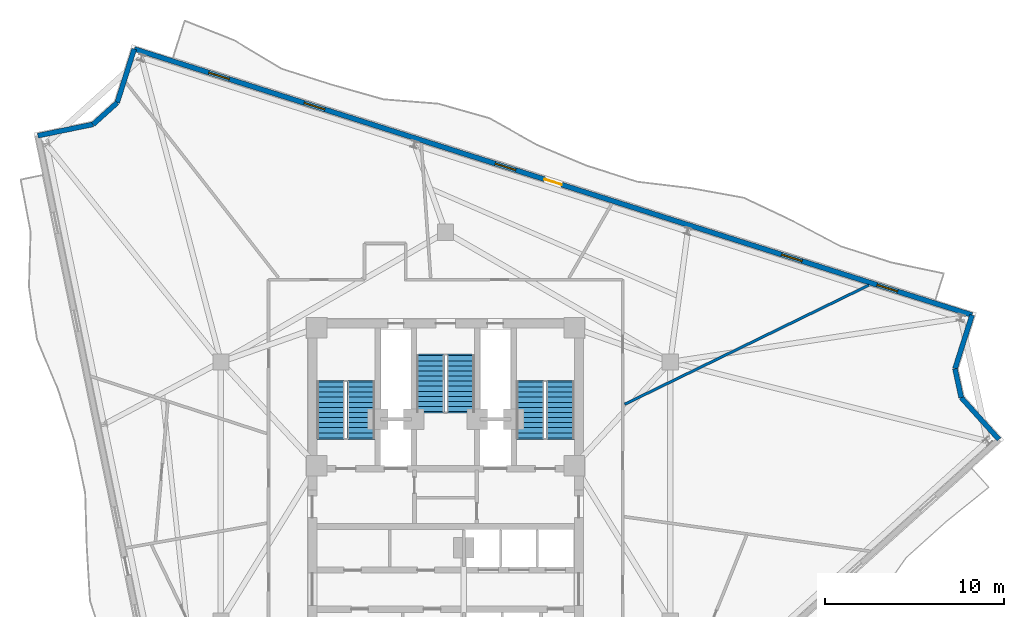
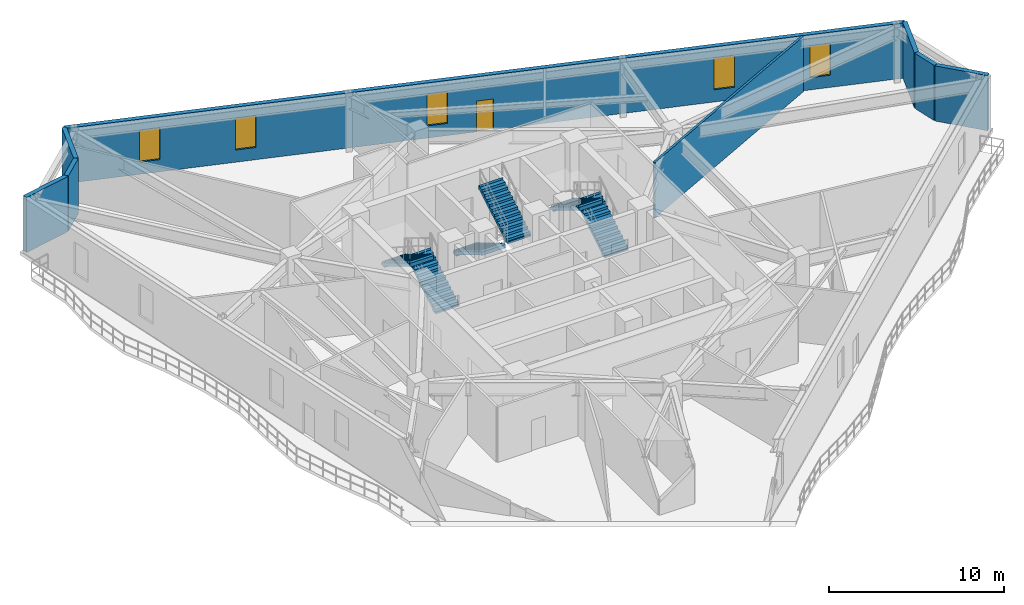
# One storey, part 8 of 12: 8 walls, 6 stair flights, 5 windows, 1 door, 6 openings, 3 elements without a shape of their own.
"""IFC4 building model written with IfcOpenShell, lengths in metres."""

from ifc_helpers import new_model, si_unit, direction, frame, frame_2d, origin, place, context, subcontext, project, spatial, polyline, rectangle, outline, extrude, material, layer, layer_set, type_object, element, fill, aggregate, save


model = new_model("IFC4")

# Units and contexts
model_context = context("Model", 3, precision=1e-05, world=origin(), true_north=direction((0.0, 1.0)))
body_context = subcontext(model_context, "Body", "Model", "MODEL_VIEW")
ifc_project = project(units=[si_unit("LENGTHUNIT", "METRE"), si_unit("AREAUNIT", "SQUARE_METRE"), si_unit("VOLUMEUNIT", "CUBIC_METRE"), si_unit("PLANEANGLEUNIT", "RADIAN"), si_unit("MASSUNIT", "GRAM", prefix="KILO")], contexts=[model_context])

# Site, building, storey
site_placement = place(None, origin())
site = spatial("IfcSite", under=ifc_project, at=site_placement, CompositionType="ELEMENT")
building_placement = place(site_placement, origin())
building = spatial("IfcBuilding", under=site, at=building_placement, Name="Apsidion Concourse Tower", CompositionType="ELEMENT")
storey_placement = place(building_placement, frame((0.0, 0.0, 232.199951171875)))
storey = spatial("IfcBuildingStorey", under=building, at=storey_placement, Name="L54", CompositionType="ELEMENT", Elevation=232.199951171875)

# Wall, openings, door, windows
ifc_material_1 = material(Name="Precast concrete C40/50", Category="concrete")
ifc_layer_1 = layer(ifc_material_1, 0.280029296875)
ifc_layer_set_1 = layer_set([ifc_layer_1], Name="Precast concrete C40/50")
wall_type_1 = type_object("IfcWallType", Name="WL-EXT-280", PredefinedType="STANDARD", material=ifc_layer_set_1)
wall_1_placement = place(storey_placement, frame((-17.4072265625, 24.74755859375, 0.0), z_axis=(0.0, 0.0, 1.0), x_axis=(0.953082756031, -0.302709861346, 0.0)))
wall_1 = element("IfcWall", 1, at=wall_1_placement, inside=storey, type_object=wall_type_1, Name="L54 Precast Stone Facade Wall 01", PredefinedType="STANDARD", context=body_context, shape_type="SweptSolid", body=[
    extrude(rectangle(XDim=49.14501953125, YDim=0.280029296875, at=frame_2d((24.572509765625, 0.0))), origin(), (0.0, 0.0, 1.0), 3.85009765625),
])
opening_1_placement = place(wall_1_placement, frame((24.072509765625, 0.0, 0.0)))
opening_1 = element("IfcOpeningElement", 2, at=opening_1_placement, cuts=wall_1, Name="Opening D-T1L", PredefinedType="OPENING", context=body_context, shape_type="SweptSolid", body=[
    extrude(rectangle(XDim=1.0, YDim=2.14990234375, at=frame_2d((0.5, 1.074951171875))), frame((0.0, 0.14990234375, 0.0), z_axis=(0.0, -1.0, 0.0), x_axis=(1.0, 0.0, 0.0)), (0.0, 0.0, 1.0), 0.300048828125),
])
opening_2_placement = place(wall_1_placement, frame((4.37255859375, 0.0, 0.85009765625)))
opening_2 = element("IfcOpeningElement", 3, at=opening_2_placement, cuts=wall_1, Name="Opening WN-06", PredefinedType="OPENING", context=body_context, shape_type="SweptSolid", body=[
    extrude(rectangle(XDim=1.199951171875, YDim=2.199951171875, at=frame_2d((0.60009765625, 1.10009765625))), frame((0.0, 0.14990234375, 0.0), z_axis=(0.0, -1.0, 0.0), x_axis=(1.0, 0.0, 0.0)), (0.0, 0.0, 1.0), 0.300048828125),
])
opening_3_placement = place(wall_1_placement, frame((9.97265625, 0.0, 0.85009765625)))
opening_3 = element("IfcOpeningElement", 4, at=opening_3_placement, cuts=wall_1, Name="Opening WN-06", PredefinedType="OPENING", context=body_context, shape_type="SweptSolid", body=[
    extrude(rectangle(XDim=1.199951171875, YDim=2.199951171875, at=frame_2d((0.60009765625, 1.10009765625))), frame((0.0, 0.14990234375, 0.0), z_axis=(0.0, -1.0, 0.0), x_axis=(1.0, 0.0, 0.0)), (0.0, 0.0, 1.0), 0.300048828125),
])
opening_4_placement = place(wall_1_placement, frame((21.172607421875, 0.0, 0.85009765625)))
opening_4 = element("IfcOpeningElement", 5, at=opening_4_placement, cuts=wall_1, Name="Opening WN-06", PredefinedType="OPENING", context=body_context, shape_type="SweptSolid", body=[
    extrude(rectangle(XDim=1.199951171875, YDim=2.199951171875, at=frame_2d((0.60009765625, 1.10009765625))), frame((0.0, 0.14990234375, 0.0), z_axis=(0.0, -1.0, 0.0), x_axis=(1.0, 0.0, 0.0)), (0.0, 0.0, 1.0), 0.300048828125),
])
opening_5_placement = place(wall_1_placement, frame((37.97265625, 0.0, 0.85009765625)))
opening_5 = element("IfcOpeningElement", 6, at=opening_5_placement, cuts=wall_1, Name="Opening WN-06", PredefinedType="OPENING", context=body_context, shape_type="SweptSolid", body=[
    extrude(rectangle(XDim=1.199951171875, YDim=2.199951171875, at=frame_2d((0.60009765625, 1.10009765625))), frame((0.0, 0.14990234375, 0.0), z_axis=(0.0, -1.0, 0.0), x_axis=(1.0, 0.0, 0.0)), (0.0, 0.0, 1.0), 0.300048828125),
])
opening_6_placement = place(wall_1_placement, frame((43.572509765625, 0.0, 0.85009765625)))
opening_6 = element("IfcOpeningElement", 7, at=opening_6_placement, cuts=wall_1, Name="Opening WN-06", PredefinedType="OPENING", context=body_context, shape_type="SweptSolid", body=[
    extrude(rectangle(XDim=1.199951171875, YDim=2.199951171875, at=frame_2d((0.60009765625, 1.10009765625))), frame((0.0, 0.14990234375, 0.0), z_axis=(0.0, -1.0, 0.0), x_axis=(1.0, 0.0, 0.0)), (0.0, 0.0, 1.0), 0.300048828125),
])
ifc_material_2 = material(Name="Anodised aluminium EN AW-6063 T6", Category="aluminium")
door_type = type_object("IfcDoorType", Name="DR-TER-1022L", OperationType="SINGLE_SWING_LEFT", PredefinedType="DOOR", material=ifc_material_2)
door_placement = place(opening_1_placement, origin())
door = element("IfcDoor", 8, at=door_placement, inside=storey, type_object=door_type, Name="L54 Balcony Access Door 3", OperationType="SINGLE_SWING_LEFT", OverallHeight=2.14990234375, OverallWidth=1.0, PredefinedType="DOOR", context=body_context, shape_type="SweptSolid", body=[
    extrude(rectangle(XDim=1.0, YDim=2.14990234375, at=frame_2d((0.5, 1.074951171875))), frame((0.0, 0.02490234375, 0.0), z_axis=(0.0, -1.0, 0.0), x_axis=(1.0, 0.0, 0.0)), (0.0, 0.0, 1.0), 0.050048828125),
])
fill(opening_1, door)
ifc_material_3 = material(Name="Insulated laminated low-E glass", Category="glass")
window_type = type_object("IfcWindowType", Name="WN-OFF-1224", PartitioningType="SINGLE_PANEL", PredefinedType="WINDOW", material=ifc_material_3)
window_1_placement = place(opening_2_placement, origin())
window_1 = element("IfcWindow", 9, at=window_1_placement, inside=storey, type_object=window_type, Name="L54 Punched Facade Window 1-01", OverallHeight=2.199951171875, OverallWidth=1.199951171875, PartitioningType="SINGLE_PANEL", PredefinedType="WINDOW", context=body_context, shape_type="SweptSolid", body=[
    extrude(rectangle(XDim=1.199951171875, YDim=2.199951171875, at=frame_2d((0.60009765625, 1.10009765625))), frame((0.0, 0.030029296875, 0.0), z_axis=(0.0, -1.0, 0.0), x_axis=(1.0, 0.0, 0.0)), (0.0, 0.0, 1.0), 0.06005859375),
])
fill(opening_2, window_1)
window_2_placement = place(opening_3_placement, origin())
window_2 = element("IfcWindow", 10, at=window_2_placement, inside=storey, type_object=window_type, Name="L54 Punched Facade Window 1-02", OverallHeight=2.199951171875, OverallWidth=1.199951171875, PartitioningType="SINGLE_PANEL", PredefinedType="WINDOW", context=body_context, shape_type="SweptSolid", body=[
    extrude(rectangle(XDim=1.199951171875, YDim=2.199951171875, at=frame_2d((0.60009765625, 1.10009765625))), frame((0.0, 0.030029296875, 0.0), z_axis=(0.0, -1.0, 0.0), x_axis=(1.0, 0.0, 0.0)), (0.0, 0.0, 1.0), 0.06005859375),
])
fill(opening_3, window_2)
window_3_placement = place(opening_4_placement, origin())
window_3 = element("IfcWindow", 11, at=window_3_placement, inside=storey, type_object=window_type, Name="L54 Punched Facade Window 1-04", OverallHeight=2.199951171875, OverallWidth=1.199951171875, PartitioningType="SINGLE_PANEL", PredefinedType="WINDOW", context=body_context, shape_type="SweptSolid", body=[
    extrude(rectangle(XDim=1.199951171875, YDim=2.199951171875, at=frame_2d((0.60009765625, 1.10009765625))), frame((0.0, 0.030029296875, 0.0), z_axis=(0.0, -1.0, 0.0), x_axis=(1.0, 0.0, 0.0)), (0.0, 0.0, 1.0), 0.06005859375),
])
fill(opening_4, window_3)
window_4_placement = place(opening_5_placement, origin())
window_4 = element("IfcWindow", 12, at=window_4_placement, inside=storey, type_object=window_type, Name="L54 Punched Facade Window 1-07", OverallHeight=2.199951171875, OverallWidth=1.199951171875, PartitioningType="SINGLE_PANEL", PredefinedType="WINDOW", context=body_context, shape_type="SweptSolid", body=[
    extrude(rectangle(XDim=1.199951171875, YDim=2.199951171875, at=frame_2d((0.60009765625, 1.10009765625))), frame((0.0, 0.030029296875, 0.0), z_axis=(0.0, -1.0, 0.0), x_axis=(1.0, 0.0, 0.0)), (0.0, 0.0, 1.0), 0.06005859375),
])
fill(opening_5, window_4)
window_5_placement = place(opening_6_placement, origin())
window_5 = element("IfcWindow", 13, at=window_5_placement, inside=storey, type_object=window_type, Name="L54 Punched Facade Window 1-08", OverallHeight=2.199951171875, OverallWidth=1.199951171875, PartitioningType="SINGLE_PANEL", PredefinedType="WINDOW", context=body_context, shape_type="SweptSolid", body=[
    extrude(rectangle(XDim=1.199951171875, YDim=2.199951171875, at=frame_2d((0.60009765625, 1.10009765625))), frame((0.0, 0.030029296875, 0.0), z_axis=(0.0, -1.0, 0.0), x_axis=(1.0, 0.0, 0.0)), (0.0, 0.0, 1.0), 0.06005859375),
])
fill(opening_6, window_5)

# Walls
wall_2_placement = place(storey_placement, frame((29.43212890625, 9.870849609375, 0.0), z_axis=(0.0, 0.0, 1.0), x_axis=(-0.30264059672, -0.953104752489, 0.0)))
element("IfcWall", 14, at=wall_2_placement, inside=storey, type_object=wall_type_1, Name="L54 Precast Stone Facade Wall 02", PredefinedType="STANDARD", context=body_context, shape_type="SweptSolid", body=[
    extrude(rectangle(XDim=3.150146484375, YDim=0.280029296875, at=frame_2d((1.5751953125, 0.0))), origin(), (0.0, 0.0, 1.0), 3.85009765625),
])
wall_3_placement = place(storey_placement, frame((28.478759765625, 6.868408203125, 0.0), z_axis=(0.0, 0.0, 1.0), x_axis=(0.211126358094, -0.977458777094, 0.0)))
element("IfcWall", 15, at=wall_3_placement, inside=storey, type_object=wall_type_1, Name="L54 Precast Stone Facade Wall 03", PredefinedType="STANDARD", context=body_context, shape_type="SweptSolid", body=[
    extrude(rectangle(XDim=1.64892578125, YDim=0.280029296875, at=frame_2d((0.824462890625, 0.0))), origin(), (0.0, 0.0, 1.0), 3.85009765625),
])
wall_4_placement = place(storey_placement, frame((28.826904296875, 5.256591796875, 0.0), z_axis=(0.0, 0.0, 1.0), x_axis=(0.669127439782, -0.743147676663, 0.0)))
element("IfcWall", 16, at=wall_4_placement, inside=storey, type_object=wall_type_1, Name="L54 Precast Stone Facade Wall 04", PredefinedType="STANDARD", context=body_context, shape_type="SweptSolid", body=[
    extrude(rectangle(XDim=3.14990234375, YDim=0.280029296875, at=frame_2d((1.574951171875, 0.0))), origin(), (0.0, 0.0, 1.0), 3.85009765625),
])
wall_5_placement = place(storey_placement, frame((-22.79248046875, 19.898681640625, 0.0), z_axis=(0.0, 0.0, 1.0), x_axis=(0.979502474011, 0.201432131016, 0.0)))
element("IfcWall", 17, at=wall_5_placement, inside=storey, type_object=wall_type_1, Name="L54 Precast Stone Facade Wall 10", PredefinedType="STANDARD", context=body_context, shape_type="SweptSolid", body=[
    extrude(rectangle(XDim=3.1513671875, YDim=0.280029296875, at=frame_2d((1.57568359375, 0.0))), origin(), (0.0, 0.0, 1.0), 3.85009765625),
])
wall_6_placement = place(storey_placement, frame((-19.705810546875, 20.533447265625, 0.0), z_axis=(0.0, 0.0, 1.0), x_axis=(0.743173371482, 0.669098901449, 0.0)))
element("IfcWall", 18, at=wall_6_placement, inside=storey, type_object=wall_type_1, Name="L54 Precast Stone Facade Wall 11", PredefinedType="STANDARD", context=body_context, shape_type="SweptSolid", body=[
    extrude(rectangle(XDim=1.809326171875, YDim=0.280029296875, at=frame_2d((0.90478515625, 0.0))), origin(), (0.0, 0.0, 1.0), 3.85009765625),
])
wall_7_placement = place(storey_placement, frame((-18.361083984375, 21.744140625, 0.0), z_axis=(0.0, 0.0, 1.0), x_axis=(0.302691963624, 0.953088440365, 0.0)))
element("IfcWall", 19, at=wall_7_placement, inside=storey, type_object=wall_type_1, Name="L54 Precast Stone Facade Wall 12", PredefinedType="STANDARD", context=body_context, shape_type="SweptSolid", body=[
    extrude(rectangle(XDim=3.1513671875, YDim=0.280029296875, at=frame_2d((1.57568359375, 0.0))), origin(), (0.0, 0.0, 1.0), 3.85009765625),
])
ifc_material_4 = material(Name="Gypsum plasterboard partition")
ifc_layer_2 = layer(ifc_material_4, 0.14990234375)
ifc_layer_set_2 = layer_set([ifc_layer_2], Name="Gypsum plasterboard partition")
wall_type_2 = type_object("IfcWallType", Name="WL-INT-PAR-150", PredefinedType="PARTITIONING", material=ifc_layer_set_2)
wall_8_placement = place(storey_placement, frame((10.0048828125, 4.8798828125, 0.0), z_axis=(0.0, 0.0, 1.0), x_axis=(0.89879886383, 0.43836126925, 0.0)))
element("IfcWall", 20, at=wall_8_placement, inside=storey, type_object=wall_type_2, Name="L54 Interior Partition WL-L54-RAD-01-1", PredefinedType="PARTITIONING", context=body_context, shape_type="SweptSolid", body=[
    extrude(rectangle(XDim=15.195068359375, YDim=0.14990234375, at=frame_2d((7.59765625, 0.0))), origin(), (0.0, 0.0, 1.0), 3.85009765625),
])

# Stair, stair flights
stair_type = type_object("IfcStairType", Name="ST-DL-1550", PredefinedType="HALF_TURN_STAIR", material=ifc_material_1)
stair_1_placement = place(storey_placement, origin())
stair_1 = element("IfcStair", 21, at=stair_1_placement, inside=storey, type_object=stair_type, Name="L54 Protected Core Exit Stair ST1", PredefinedType="HALF_TURN_STAIR")
stair_flight_type = type_object("IfcStairFlightType", Name="SFL-RC-1550", PredefinedType="STRAIGHT", material=ifc_material_1)
stair_flight_1_placement = place(storey_placement, frame((-4.72509765625, 3.0, 0.0), z_axis=(0.0, 0.0, 1.0), x_axis=(0.0, 1.0, 0.0)))
stair_flight_1 = element("IfcStairFlight", 22, at=stair_flight_1_placement, type_object=stair_flight_type, Name="ST1 flight 1", NumberOfRisers=12, NumberOfTreads=11, PredefinedType="STRAIGHT", RiserHeight=0.170833333, TreadLength=0.285, context=body_context, shape_type="SweptSolid", body=[
    extrude(outline(polyline([(-0.080078125, -0.1123046875), (-0.080078125, 0.0), (0.0, 0.0), (0.0, 0.1708984375), (0.284912109375, 0.1708984375), (0.284912109375, 0.341552734375), (0.570068359375, 0.341552734375), (0.570068359375, 0.512451171875), (0.85498046875, 0.512451171875), (0.85498046875, 0.683349609375), (1.139892578125, 0.683349609375), (1.139892578125, 0.854248046875), (1.425048828125, 0.854248046875), (1.425048828125, 1.02490234375), (1.7099609375, 1.02490234375), (1.7099609375, 1.19580078125), (1.9951171875, 1.19580078125), (1.9951171875, 1.36669921875), (2.280029296875, 1.36669921875), (2.280029296875, 1.53759765625), (2.56494140625, 1.53759765625), (2.56494140625, 1.708251953125), (2.85009765625, 1.708251953125), (2.85009765625, 1.879150390625), (3.135009765625, 1.879150390625), (3.135009765625, 2.050048828125), (3.215087890625, 1.964599609375), (3.215087890625, 1.704345703125), (3.135009765625, 1.704345703125), (0.29150390625, 0.0), (0.29150390625, -0.1123046875), (-0.080078125, -0.1123046875)])), frame((0.0, 0.77490234375, 0.0), z_axis=(0.0, -1.0, 0.0), x_axis=(1.0, 0.0, 0.0)), (0.0, 0.0, 1.0), 1.550048828125),
])
stair_flight_2_placement = place(storey_placement, frame((-6.425048828125, 6.135009765625, 2.050048828125), z_axis=(0.0, 0.0, 1.0), x_axis=(0.0, -1.0, 0.0)))
stair_flight_2 = element("IfcStairFlight", 23, at=stair_flight_2_placement, type_object=stair_flight_type, Name="ST1 flight 2", NumberOfRisers=12, NumberOfTreads=11, PredefinedType="STRAIGHT", RiserHeight=0.170833333, TreadLength=0.285, context=body_context, shape_type="SweptSolid", body=[
    extrude(outline(polyline([(-0.080078125, -0.1123046875), (-0.080078125, 0.0), (0.0, 0.0), (0.0, 0.1708984375), (0.284912109375, 0.1708984375), (0.284912109375, 0.341552734375), (0.570068359375, 0.341552734375), (0.570068359375, 0.512451171875), (0.85498046875, 0.512451171875), (0.85498046875, 0.683349609375), (1.139892578125, 0.683349609375), (1.139892578125, 0.854248046875), (1.425048828125, 0.854248046875), (1.425048828125, 1.02490234375), (1.7099609375, 1.02490234375), (1.7099609375, 1.19580078125), (1.9951171875, 1.19580078125), (1.9951171875, 1.36669921875), (2.280029296875, 1.36669921875), (2.280029296875, 1.53759765625), (2.56494140625, 1.53759765625), (2.56494140625, 1.708251953125), (2.85009765625, 1.708251953125), (2.85009765625, 1.879150390625), (3.135009765625, 1.879150390625), (3.135009765625, 2.050048828125), (3.215087890625, 1.964599609375), (3.215087890625, 1.704345703125), (3.135009765625, 1.704345703125), (0.29150390625, 0.0), (0.29150390625, -0.1123046875), (-0.080078125, -0.1123046875)])), frame((0.0, 0.77490234375, 0.0), z_axis=(0.0, -1.0, 0.0), x_axis=(1.0, 0.0, 0.0)), (0.0, 0.0, 1.0), 1.550048828125),
])
aggregate(stair_1, [stair_flight_1, stair_flight_2])

stair_2_placement = place(storey_placement, origin())
stair_2 = element("IfcStair", 24, at=stair_2_placement, inside=storey, type_object=stair_type, Name="L54 Protected Core Exit Stair ST2", PredefinedType="HALF_TURN_STAIR")
stair_flight_3_placement = place(storey_placement, frame((6.425048828125, 3.0, 0.0), z_axis=(0.0, 0.0, 1.0), x_axis=(0.0, 1.0, 0.0)))
stair_flight_3 = element("IfcStairFlight", 25, at=stair_flight_3_placement, type_object=stair_flight_type, Name="ST2 flight 1", NumberOfRisers=12, NumberOfTreads=11, PredefinedType="STRAIGHT", RiserHeight=0.170833333, TreadLength=0.285, context=body_context, shape_type="SweptSolid", body=[
    extrude(outline(polyline([(-0.080078125, -0.1123046875), (-0.080078125, 0.0), (0.0, 0.0), (0.0, 0.1708984375), (0.284912109375, 0.1708984375), (0.284912109375, 0.341552734375), (0.570068359375, 0.341552734375), (0.570068359375, 0.512451171875), (0.85498046875, 0.512451171875), (0.85498046875, 0.683349609375), (1.139892578125, 0.683349609375), (1.139892578125, 0.854248046875), (1.425048828125, 0.854248046875), (1.425048828125, 1.02490234375), (1.7099609375, 1.02490234375), (1.7099609375, 1.19580078125), (1.9951171875, 1.19580078125), (1.9951171875, 1.36669921875), (2.280029296875, 1.36669921875), (2.280029296875, 1.53759765625), (2.56494140625, 1.53759765625), (2.56494140625, 1.708251953125), (2.85009765625, 1.708251953125), (2.85009765625, 1.879150390625), (3.135009765625, 1.879150390625), (3.135009765625, 2.050048828125), (3.215087890625, 1.964599609375), (3.215087890625, 1.704345703125), (3.135009765625, 1.704345703125), (0.29150390625, 0.0), (0.29150390625, -0.1123046875), (-0.080078125, -0.1123046875)])), frame((0.0, 0.77490234375, 0.0), z_axis=(0.0, -1.0, 0.0), x_axis=(1.0, 0.0, 0.0)), (0.0, 0.0, 1.0), 1.550048828125),
])
stair_flight_4_placement = place(storey_placement, frame((4.72509765625, 6.135009765625, 2.050048828125), z_axis=(0.0, 0.0, 1.0), x_axis=(0.0, -1.0, 0.0)))
stair_flight_4 = element("IfcStairFlight", 26, at=stair_flight_4_placement, type_object=stair_flight_type, Name="ST2 flight 2", NumberOfRisers=12, NumberOfTreads=11, PredefinedType="STRAIGHT", RiserHeight=0.170833333, TreadLength=0.285, context=body_context, shape_type="SweptSolid", body=[
    extrude(outline(polyline([(-0.080078125, -0.1123046875), (-0.080078125, 0.0), (0.0, 0.0), (0.0, 0.1708984375), (0.284912109375, 0.1708984375), (0.284912109375, 0.341552734375), (0.570068359375, 0.341552734375), (0.570068359375, 0.512451171875), (0.85498046875, 0.512451171875), (0.85498046875, 0.683349609375), (1.139892578125, 0.683349609375), (1.139892578125, 0.854248046875), (1.425048828125, 0.854248046875), (1.425048828125, 1.02490234375), (1.7099609375, 1.02490234375), (1.7099609375, 1.19580078125), (1.9951171875, 1.19580078125), (1.9951171875, 1.36669921875), (2.280029296875, 1.36669921875), (2.280029296875, 1.53759765625), (2.56494140625, 1.53759765625), (2.56494140625, 1.708251953125), (2.85009765625, 1.708251953125), (2.85009765625, 1.879150390625), (3.135009765625, 1.879150390625), (3.135009765625, 2.050048828125), (3.215087890625, 1.964599609375), (3.215087890625, 1.704345703125), (3.135009765625, 1.704345703125), (0.29150390625, 0.0), (0.29150390625, -0.1123046875), (-0.080078125, -0.1123046875)])), frame((0.0, 0.77490234375, 0.0), z_axis=(0.0, -1.0, 0.0), x_axis=(1.0, 0.0, 0.0)), (0.0, 0.0, 1.0), 1.550048828125),
])
aggregate(stair_2, [stair_flight_3, stair_flight_4])

stair_3_placement = place(storey_placement, origin())
stair_3 = element("IfcStair", 27, at=stair_3_placement, inside=storey, type_object=stair_type, Name="L54 Protected Core Exit Stair ST3", PredefinedType="HALF_TURN_STAIR")
stair_flight_5_placement = place(storey_placement, frame((-0.85009765625, 7.60009765625, 0.0), z_axis=(0.0, 0.0, 1.0), x_axis=(0.0, -1.0, 0.0)))
stair_flight_5 = element("IfcStairFlight", 28, at=stair_flight_5_placement, type_object=stair_flight_type, Name="ST3 flight 1", NumberOfRisers=12, NumberOfTreads=11, PredefinedType="STRAIGHT", RiserHeight=0.170833333, TreadLength=0.285, context=body_context, shape_type="SweptSolid", body=[
    extrude(outline(polyline([(-0.080078125, -0.1123046875), (-0.080078125, 0.0), (0.0, 0.0), (0.0, 0.1708984375), (0.284912109375, 0.1708984375), (0.284912109375, 0.341552734375), (0.570068359375, 0.341552734375), (0.570068359375, 0.512451171875), (0.85498046875, 0.512451171875), (0.85498046875, 0.683349609375), (1.139892578125, 0.683349609375), (1.139892578125, 0.854248046875), (1.425048828125, 0.854248046875), (1.425048828125, 1.02490234375), (1.7099609375, 1.02490234375), (1.7099609375, 1.19580078125), (1.9951171875, 1.19580078125), (1.9951171875, 1.36669921875), (2.280029296875, 1.36669921875), (2.280029296875, 1.53759765625), (2.56494140625, 1.53759765625), (2.56494140625, 1.708251953125), (2.85009765625, 1.708251953125), (2.85009765625, 1.879150390625), (3.135009765625, 1.879150390625), (3.135009765625, 2.050048828125), (3.215087890625, 1.964599609375), (3.215087890625, 1.704345703125), (3.135009765625, 1.704345703125), (0.29150390625, 0.0), (0.29150390625, -0.1123046875), (-0.080078125, -0.1123046875)])), frame((0.0, 0.77490234375, 0.0), z_axis=(0.0, -1.0, 0.0), x_axis=(1.0, 0.0, 0.0)), (0.0, 0.0, 1.0), 1.550048828125),
])
stair_flight_6_placement = place(storey_placement, frame((0.85009765625, 4.465087890625, 2.050048828125), z_axis=(0.0, 0.0, 1.0), x_axis=(0.0, 1.0, 0.0)))
stair_flight_6 = element("IfcStairFlight", 29, at=stair_flight_6_placement, type_object=stair_flight_type, Name="ST3 flight 2", NumberOfRisers=12, NumberOfTreads=11, PredefinedType="STRAIGHT", RiserHeight=0.170833333, TreadLength=0.285, context=body_context, shape_type="SweptSolid", body=[
    extrude(outline(polyline([(-0.080078125, -0.1123046875), (-0.080078125, 0.0), (0.0, 0.0), (0.0, 0.1708984375), (0.284912109375, 0.1708984375), (0.284912109375, 0.341552734375), (0.570068359375, 0.341552734375), (0.570068359375, 0.512451171875), (0.85498046875, 0.512451171875), (0.85498046875, 0.683349609375), (1.139892578125, 0.683349609375), (1.139892578125, 0.854248046875), (1.425048828125, 0.854248046875), (1.425048828125, 1.02490234375), (1.7099609375, 1.02490234375), (1.7099609375, 1.19580078125), (1.9951171875, 1.19580078125), (1.9951171875, 1.36669921875), (2.280029296875, 1.36669921875), (2.280029296875, 1.53759765625), (2.56494140625, 1.53759765625), (2.56494140625, 1.708251953125), (2.85009765625, 1.708251953125), (2.85009765625, 1.879150390625), (3.135009765625, 1.879150390625), (3.135009765625, 2.050048828125), (3.215087890625, 1.964599609375), (3.215087890625, 1.704345703125), (3.135009765625, 1.704345703125), (0.29150390625, 0.0), (0.29150390625, -0.1123046875), (-0.080078125, -0.1123046875)])), frame((0.0, 0.77490234375, 0.0), z_axis=(0.0, -1.0, 0.0), x_axis=(1.0, 0.0, 0.0)), (0.0, 0.0, 1.0), 1.550048828125),
])
aggregate(stair_3, [stair_flight_5, stair_flight_6])

save(model, "model.ifc")
